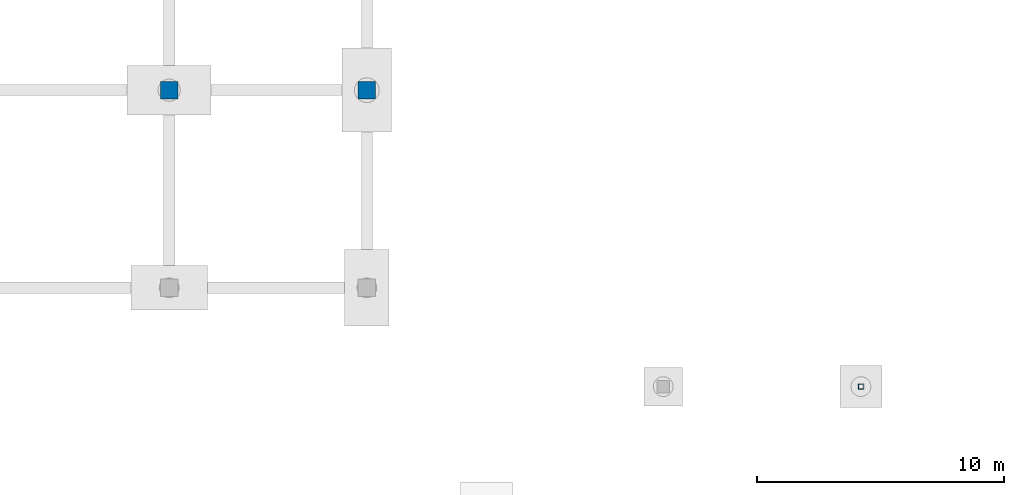
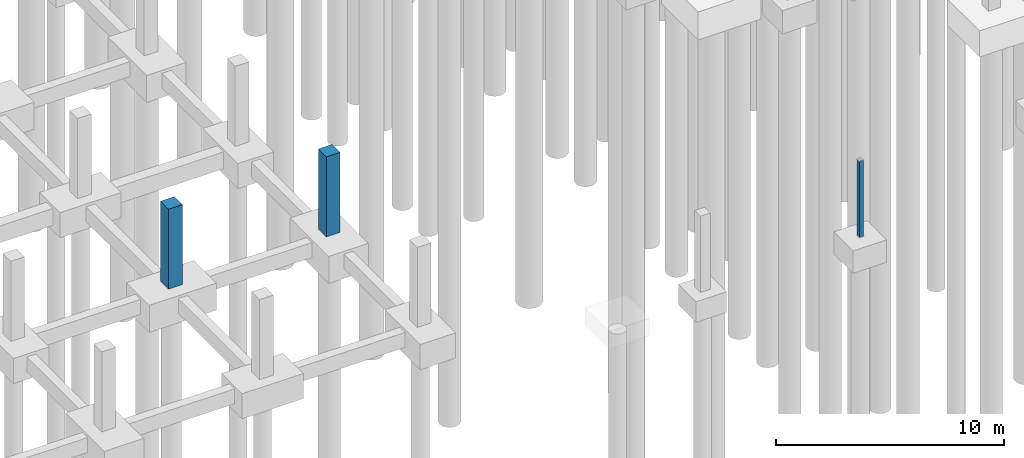
# One storey, part 13 of 48: 3 columns.
"""IFC4 building model written with IfcOpenShell, lengths in metres."""

from ifc_helpers import new_model, si_unit, derived_unit, direction, frame, origin, origin_2d, place, context, subcontext, project, spatial, rectangle, hollow_rectangle, extrude, material, material_profile, profile_set, type_object, element, save


model = new_model("IFC4")

# Units and contexts
model_context = context("Model", 3, precision=1e-05, world=origin(), true_north=direction((0.0, 1.0)))
body_context = subcontext(model_context, "Body", "Model", "MODEL_VIEW")
ifc_project = project(units=[si_unit("LENGTHUNIT", "METRE"), si_unit("AREAUNIT", "SQUARE_METRE"), si_unit("VOLUMEUNIT", "CUBIC_METRE"), si_unit("PLANEANGLEUNIT", "RADIAN"), si_unit("MASSUNIT", "GRAM", prefix="KILO"), derived_unit("THERMALTRANSMITTANCEUNIT", [(si_unit("MASSUNIT", "GRAM", prefix="KILO"), 1), (si_unit("TIMEUNIT", "SECOND"), -3), (si_unit("THERMODYNAMICTEMPERATUREUNIT", "KELVIN"), -1)])], contexts=[model_context])

# Site, building, storey
site_placement = place(None, origin())
site = spatial("IfcSite", under=ifc_project, at=site_placement, CompositionType="ELEMENT")
building_placement = place(site_placement, origin())
building = spatial("IfcBuilding", under=site, at=building_placement, Name="Veyamyaing Civic Hall", CompositionType="ELEMENT")
storey_placement = place(building_placement, frame((0.0, 0.0, -4.2900390625)))
storey = spatial("IfcBuildingStorey", under=building, at=storey_placement, Name="B1", CompositionType="ELEMENT", Elevation=-4.2900390625)

# Columns
ifc_material_1 = material(Name="Concrete C45/55", Category="concrete")
ifc_material_profile_1 = material_profile(ifc_material_1, rectangle(XDim=0.699951171875, YDim=0.699951171875, at=origin_2d()), Name="RC-COL-700X700")
ifc_profile_set_1 = profile_set([ifc_material_profile_1], Name="Concrete C45/55")
column_type_1 = type_object("IfcColumnType", Name="C-04", PredefinedType="COLUMN", material=ifc_profile_set_1)
for number, where, z_axis, x_axis, name in (
    (1, (32.0, 16.0, 0.0), (0.0, 0.0, 1.0), (1.0, 0.0, 0.0), "Column C-04 5-C B1"),
    (2, (40.0, 16.0, 0.0), (0.0, 0.0, 1.0), (1.0, 0.0, 0.0), "Column C-04 6-C B1"),
):
    element("IfcColumn", number, at=place(storey_placement, frame(where, z_axis=z_axis, x_axis=x_axis)), inside=storey, type_object=column_type_1, Name=name, PredefinedType="COLUMN", context=body_context, shape_type="SweptSolid", body=[
        extrude(rectangle(XDim=0.699951171875, YDim=0.699951171875, at=origin_2d()), origin(), (0.0, 0.0, 1.0), 4.2900390625),
    ])
ifc_material_2 = material(Name="Steel S355J2", Category="steel")
ifc_material_profile_2 = material_profile(ifc_material_2, hollow_rectangle(XDim=0.202880859375, YDim=0.202880859375, WallThickness=0.0126953125, at=origin_2d()), Name="HSS203X203X12.7")
ifc_profile_set_2 = profile_set([ifc_material_profile_2], Name="Steel S355J2")
column_type_2 = type_object("IfcColumnType", Name="C-14", PredefinedType="COLUMN", material=ifc_profile_set_2)
column_placement = place(storey_placement, frame((60.0, 4.0, 0.0), z_axis=(0.0, 0.0, 1.0), x_axis=(1.0, 0.0, 0.0)))
element("IfcColumn", 3, at=column_placement, inside=storey, type_object=column_type_2, Name="Forecourt apron edge column C-14 FC-SW", PredefinedType="COLUMN", context=body_context, shape_type="SweptSolid", body=[
    extrude(hollow_rectangle(XDim=0.202880859375, YDim=0.202880859375, WallThickness=0.0126953125, at=origin_2d()), origin(), (0.0, 0.0, 1.0), 4.090087890625),
])

save(model, "model.ifc")
